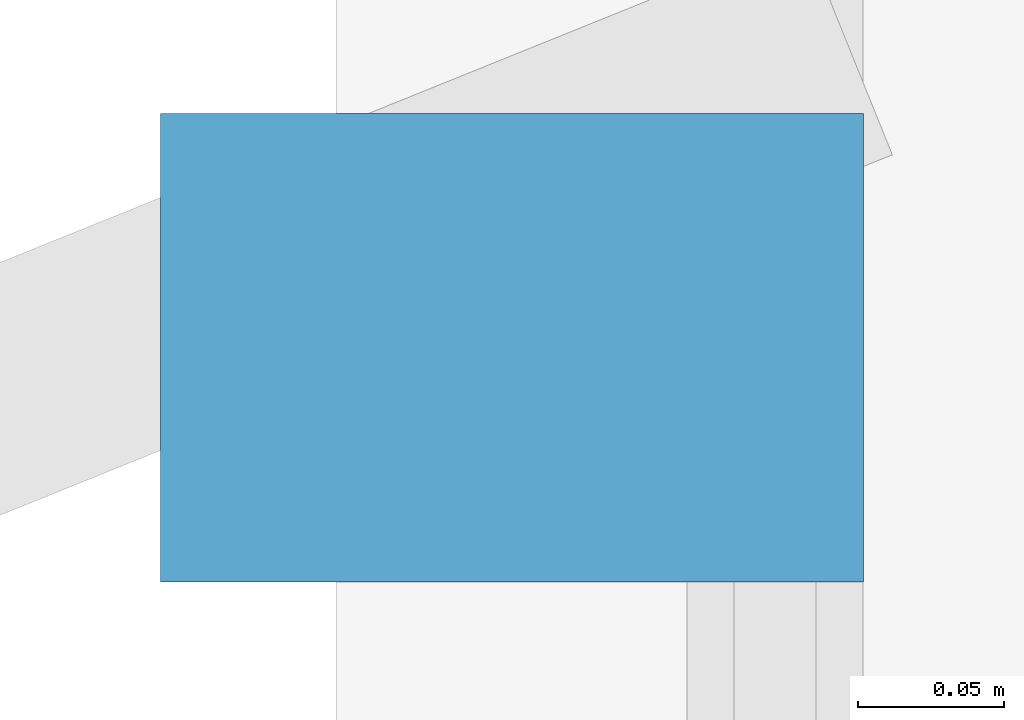
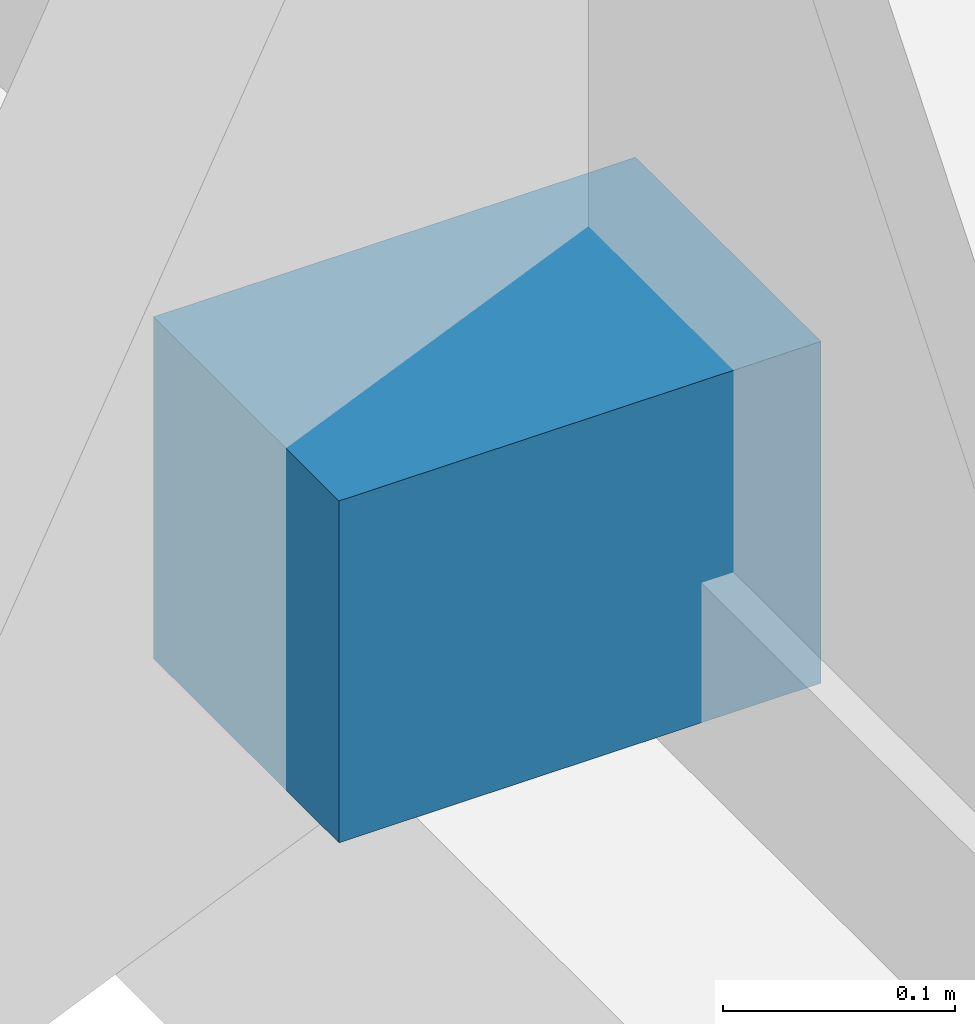
# One storey, part 27 of 29: 1 discrete accessory.
"""IFC4 building model written with IfcOpenShell, lengths in metres."""

import ifcopenshell
import ifcopenshell.guid

model = None  # the IFC model being written
_history = None  # IfcOwnerHistory: only IFC2X3 demands one
_inside = {}  # id of a spatial element -> (the spatial element, [elements in it])
_under = {}  # id of a project, library or spatial element -> (it, [spatial elements below it])
_declared = {}  # id of a project -> (the project, [libraries it declares])
_typed = {}  # id of a type object -> (the type object, [elements of that type])
_made_of = {}  # id of a material, layer set ... -> (it, [elements and type objects made of it])


def new_model(schema):
    """Start an empty IFC model of exactly this schema.

    Asked for "IFC4X3", IfcOpenShell would pick the latest addendum, in which some entities
    have other attributes; the version numbers below select the first issue.
    IFC2X3 requires an IfcOwnerHistory on every rooted entity: one is made here for all.
    """
    global model, _history
    if schema == "IFC4X3":
        model = ifcopenshell.file(schema_version=(4, 3, 0, 0))
    else:
        model = ifcopenshell.file(schema=schema)
    _inside.clear()
    _under.clear()
    _declared.clear()
    _typed.clear()
    _made_of.clear()
    _history = None
    if model.schema == "IFC2X3":
        org = make("IfcOrganization", Name="unknown")
        user = make(
            "IfcPersonAndOrganization",
            ThePerson=make("IfcPerson", FamilyName="unknown"),
            TheOrganization=org,
        )
        app = make(
            "IfcApplication",
            ApplicationDeveloper=org,
            Version="unknown",
            ApplicationFullName="unknown",
            ApplicationIdentifier="unknown",
        )
        _history = make(
            "IfcOwnerHistory",
            OwningUser=user,
            OwningApplication=app,
            ChangeAction="ADDED",
            CreationDate=0,
        )
    return model


def make(cls, **values):
    """One entity of the class cls with the attributes given. An attribute that is None is left unset."""
    return model.create_entity(
        cls, **{name: value for name, value in values.items() if value is not None}
    )


def rooted(cls, **values):
    """An entity with a GlobalId (a new one), such as an element, a storey or a relation."""
    return make(cls, GlobalId=ifcopenshell.guid.new(), OwnerHistory=_history, **values)


def si_unit(unit_type, name, prefix=None):
    """IfcSIUnit, for example si_unit("LENGTHUNIT", "METRE", prefix="MILLI")."""
    return make("IfcSIUnit", UnitType=unit_type, Prefix=prefix, Name=name)


def assignment(units):
    """IfcUnitAssignment: the units of a project."""
    return None if units is None else make("IfcUnitAssignment", Units=units)


def point(xyz):
    """IfcCartesianPoint."""
    return None if xyz is None else make("IfcCartesianPoint", Coordinates=xyz)


def direction(xyz):
    """IfcDirection."""
    return None if xyz is None else make("IfcDirection", DirectionRatios=xyz)


def frame(location, z_axis=None, x_axis=None):
    """IfcAxis2Placement3D, a coordinate frame: its origin and axes. An axis left out is left unset."""
    return make(
        "IfcAxis2Placement3D",
        Location=point(location),
        Axis=direction(z_axis),
        RefDirection=direction(x_axis),
    )


def frame_2d(location, x_axis=None):
    """IfcAxis2Placement2D, a coordinate frame in the plane: its origin and x axis."""
    return make(
        "IfcAxis2Placement2D", Location=point(location), RefDirection=direction(x_axis)
    )


def origin():
    """The frame at (0, 0, 0) with its axes left unset."""
    return frame((0.0, 0.0, 0.0))


def origin_2d():
    """The frame at (0, 0) in the plane with its x axis left unset."""
    return frame_2d((0.0, 0.0))


def place(relative_to, where):
    """IfcLocalPlacement: puts the frame where relative to a parent placement (None: the world)."""
    return make(
        "IfcLocalPlacement", PlacementRelTo=relative_to, RelativePlacement=where
    )


def context(
    kind, dimensions, precision=None, world=None, true_north=None, identifier=None
):
    """IfcGeometricRepresentationContext, for example the 3D "Model" context."""
    return make(
        "IfcGeometricRepresentationContext",
        ContextIdentifier=identifier,
        ContextType=kind,
        CoordinateSpaceDimension=dimensions,
        Precision=precision,
        WorldCoordinateSystem=world,
        TrueNorth=true_north,
    )


def subcontext(parent, identifier, kind, view, scale=None):
    """IfcGeometricRepresentationSubContext, for example "Body" below "Model"."""
    return make(
        "IfcGeometricRepresentationSubContext",
        ContextIdentifier=identifier,
        ContextType=kind,
        ParentContext=parent,
        TargetScale=scale,
        TargetView=view,
    )


def project(units=None, contexts=None):
    """IfcProject with its units and contexts."""
    return rooted(
        "IfcProject",
        Name="project",
        RepresentationContexts=contexts,
        UnitsInContext=assignment(units),
    )


def spatial(cls, under=None, at=None, **own):
    """A site, building, storey or space (cls), placed at a placement, below another one or the project."""
    s = rooted(cls, ObjectPlacement=at, **own)
    if under is not None:
        _under.setdefault(under.id(), (under, []))[1].append(s)
    return s


def profile(cls, at=None, kind="AREA", **sizes):
    """A parametric profile (cls). Its sizes go by their IFC names, for example OverallWidth=200.0."""
    return make(cls, ProfileType=kind, Position=at, **sizes)


def rectangle(**sizes):
    """IfcRectangleProfileDef."""
    return profile("IfcRectangleProfileDef", **sizes)


def extrude(swept, where, along, depth):
    """IfcExtrudedAreaSolid: the profile swept, set in the frame where, extruded along a direction by depth."""
    return make(
        "IfcExtrudedAreaSolid",
        SweptArea=swept,
        Position=where,
        ExtrudedDirection=direction(along),
        Depth=depth,
    )


def shape(context_of_items, identifier, shape_type, items):
    """IfcShapeRepresentation: the items that make up one representation, for example the "Body"."""
    return make(
        "IfcShapeRepresentation",
        ContextOfItems=context_of_items,
        RepresentationIdentifier=identifier,
        RepresentationType=shape_type,
        Items=items,
    )


def material(Name=None, Category=None):
    """IfcMaterial."""
    return make("IfcMaterial", Name=Name, Category=Category)


def made_of(thing, what):
    """Note that an element or type object is made of a material, layer set ...; save() writes the relation."""
    if what is not None:
        _made_of.setdefault(what.id(), (what, []))[1].append(thing)
    return thing


def type_object(cls, material=None, **own):
    """A type object (cls), such as IfcWallType, which elements share."""
    return made_of(rooted(cls, **own), material)


def element(
    cls,
    number,
    at=None,
    inside=None,
    cuts=None,
    type_object=None,
    material=None,
    context=None,
    identifier="Body",
    shape_type=None,
    held_by="IfcProductDefinitionShape",
    body=None,
    shapes=None,
    **own,
):
    """One element of the class cls, such as IfcWall. Its Tag is "e" and its number.

    at: its placement. inside: the storey or other place that contains it. cuts: it is an
    opening in that element (IfcRelVoidsElement). A single representation is given by context,
    identifier, shape_type and body (its items); several are given by shapes. held_by: the class
    of the entity that holds the representations. save() writes the other relations.
    """
    e = rooted(cls, Tag="e%d" % number, ObjectPlacement=at, **own)
    if body is not None:
        shapes = [shape(context, identifier, shape_type, body)]
    if shapes is not None:
        e.Representation = make(held_by, Representations=shapes)
    if inside is not None:
        _inside.setdefault(inside.id(), (inside, []))[1].append(e)
    if cuts is not None:
        rooted(
            "IfcRelVoidsElement", RelatingBuildingElement=cuts, RelatedOpeningElement=e
        )
    if type_object is not None:
        _typed.setdefault(type_object.id(), (type_object, []))[1].append(e)
    return made_of(e, material)


def aggregate(whole, parts):
    """IfcRelAggregates: a whole, such as a stair, and the parts it consists of."""
    return rooted("IfcRelAggregates", RelatingObject=whole, RelatedObjects=parts)


def save(model, path):
    """Write the relations noted so far, then the file.

    IfcRelAggregates (storeys below a building ...), IfcRelContainedInSpatialStructure (elements
    in a storey), IfcRelDefinesByType, IfcRelAssociatesMaterial and IfcRelDeclares: one each for
    every whole, place, type object, material and project.
    """
    for whole, parts in _under.values():
        aggregate(whole, parts)
    for where, things in _inside.values():
        rooted(
            "IfcRelContainedInSpatialStructure",
            RelatedElements=things,
            RelatingStructure=where,
        )
    for kind, things in _typed.values():
        rooted("IfcRelDefinesByType", RelatedObjects=things, RelatingType=kind)
    for what, things in _made_of.values():
        rooted("IfcRelAssociatesMaterial", RelatedObjects=things, RelatingMaterial=what)
    for by, libraries in _declared.values():
        rooted("IfcRelDeclares", RelatingContext=by, RelatedDefinitions=libraries)
    model.write(path)


model = new_model("IFC4")

# Units and contexts
model_context = context("Model", 3, precision=1e-05, world=origin(), true_north=direction((0.0, 1.0)))
body_context = subcontext(model_context, "Body", "Model", "MODEL_VIEW")
ifc_project = project(units=[si_unit("LENGTHUNIT", "METRE"), si_unit("AREAUNIT", "SQUARE_METRE"), si_unit("VOLUMEUNIT", "CUBIC_METRE"), si_unit("PLANEANGLEUNIT", "RADIAN"), si_unit("MASSUNIT", "GRAM", prefix="KILO")], contexts=[model_context])

# Site, building, storey
site_placement = place(None, origin())
site = spatial("IfcSite", under=ifc_project, at=site_placement, CompositionType="ELEMENT")
building_placement = place(site_placement, origin())
building = spatial("IfcBuilding", under=site, at=building_placement, Name="Calvorn Quay Hotel", CompositionType="ELEMENT")
storey_placement = place(building_placement, frame((0.0, 0.0, 105.0)))
storey = spatial("IfcBuildingStorey", under=building, at=storey_placement, Name="L25", CompositionType="ELEMENT", Elevation=105.0)

# Discrete accessory
ifc_material = material(Name="Steel Q355B", Category="steel")
discrete_accessory_type = type_object("IfcDiscreteAccessoryType", Name="ACC-FIN-BRACKET", PredefinedType="BRACKET", material=ifc_material)
discrete_accessory_placement = place(storey_placement, frame((0.06005859375, 37.25, 0.0302734375), z_axis=(0.0, 0.0, 1.0), x_axis=(1.0, 0.0, 0.0)))
element("IfcDiscreteAccessory", 1, at=discrete_accessory_placement, inside=storey, type_object=discrete_accessory_type, Name="Fin Anchor Bracket L25-W03", PredefinedType="BRACKET", context=body_context, shape_type="SweptSolid", body=[
    extrude(rectangle(XDim=0.239990234375, YDim=0.159912109375, at=origin_2d()), origin(), (0.0, 0.0, 1.0), 0.179931640625),
])

save(model, "model.ifc")
